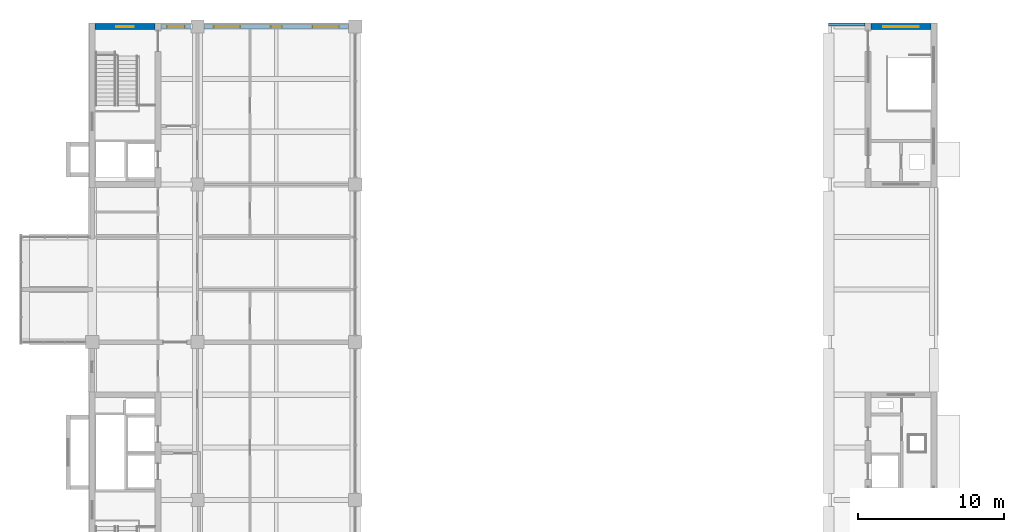
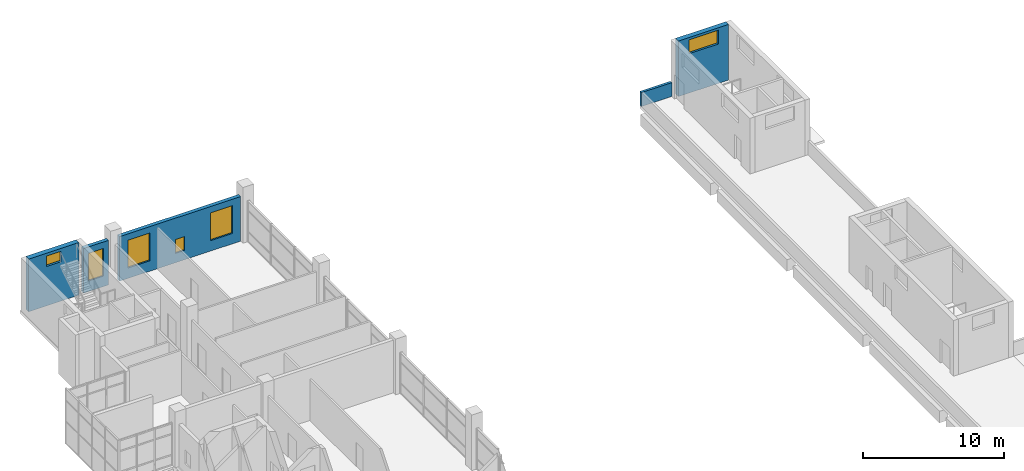
# One storey, part 20 of 23: 6 windows, 5 walls, 6 openings.
"""IFC4 building model written with IfcOpenShell, lengths in metres."""

import ifcopenshell
import ifcopenshell.guid

model = None  # the IFC model being written
_history = None  # IfcOwnerHistory: only IFC2X3 demands one
_inside = {}  # id of a spatial element -> (the spatial element, [elements in it])
_under = {}  # id of a project, library or spatial element -> (it, [spatial elements below it])
_declared = {}  # id of a project -> (the project, [libraries it declares])
_typed = {}  # id of a type object -> (the type object, [elements of that type])
_made_of = {}  # id of a material, layer set ... -> (it, [elements and type objects made of it])


def new_model(schema):
    """Start an empty IFC model of exactly this schema.

    Asked for "IFC4X3", IfcOpenShell would pick the latest addendum, in which some entities
    have other attributes; the version numbers below select the first issue.
    IFC2X3 requires an IfcOwnerHistory on every rooted entity: one is made here for all.
    """
    global model, _history
    if schema == "IFC4X3":
        model = ifcopenshell.file(schema_version=(4, 3, 0, 0))
    else:
        model = ifcopenshell.file(schema=schema)
    _inside.clear()
    _under.clear()
    _declared.clear()
    _typed.clear()
    _made_of.clear()
    _history = None
    if model.schema == "IFC2X3":
        org = make("IfcOrganization", Name="unknown")
        user = make(
            "IfcPersonAndOrganization",
            ThePerson=make("IfcPerson", FamilyName="unknown"),
            TheOrganization=org,
        )
        app = make(
            "IfcApplication",
            ApplicationDeveloper=org,
            Version="unknown",
            ApplicationFullName="unknown",
            ApplicationIdentifier="unknown",
        )
        _history = make(
            "IfcOwnerHistory",
            OwningUser=user,
            OwningApplication=app,
            ChangeAction="ADDED",
            CreationDate=0,
        )
    return model


def make(cls, **values):
    """One entity of the class cls with the attributes given. An attribute that is None is left unset."""
    return model.create_entity(
        cls, **{name: value for name, value in values.items() if value is not None}
    )


def rooted(cls, **values):
    """An entity with a GlobalId (a new one), such as an element, a storey or a relation."""
    return make(cls, GlobalId=ifcopenshell.guid.new(), OwnerHistory=_history, **values)


def si_unit(unit_type, name, prefix=None):
    """IfcSIUnit, for example si_unit("LENGTHUNIT", "METRE", prefix="MILLI")."""
    return make("IfcSIUnit", UnitType=unit_type, Prefix=prefix, Name=name)


def assignment(units):
    """IfcUnitAssignment: the units of a project."""
    return None if units is None else make("IfcUnitAssignment", Units=units)


def point(xyz):
    """IfcCartesianPoint."""
    return None if xyz is None else make("IfcCartesianPoint", Coordinates=xyz)


def direction(xyz):
    """IfcDirection."""
    return None if xyz is None else make("IfcDirection", DirectionRatios=xyz)


def frame(location, z_axis=None, x_axis=None):
    """IfcAxis2Placement3D, a coordinate frame: its origin and axes. An axis left out is left unset."""
    return make(
        "IfcAxis2Placement3D",
        Location=point(location),
        Axis=direction(z_axis),
        RefDirection=direction(x_axis),
    )


def frame_2d(location, x_axis=None):
    """IfcAxis2Placement2D, a coordinate frame in the plane: its origin and x axis."""
    return make(
        "IfcAxis2Placement2D", Location=point(location), RefDirection=direction(x_axis)
    )


def origin():
    """The frame at (0, 0, 0) with its axes left unset."""
    return frame((0.0, 0.0, 0.0))


def place(relative_to, where):
    """IfcLocalPlacement: puts the frame where relative to a parent placement (None: the world)."""
    return make(
        "IfcLocalPlacement", PlacementRelTo=relative_to, RelativePlacement=where
    )


def context(
    kind, dimensions, precision=None, world=None, true_north=None, identifier=None
):
    """IfcGeometricRepresentationContext, for example the 3D "Model" context."""
    return make(
        "IfcGeometricRepresentationContext",
        ContextIdentifier=identifier,
        ContextType=kind,
        CoordinateSpaceDimension=dimensions,
        Precision=precision,
        WorldCoordinateSystem=world,
        TrueNorth=true_north,
    )


def subcontext(parent, identifier, kind, view, scale=None):
    """IfcGeometricRepresentationSubContext, for example "Body" below "Model"."""
    return make(
        "IfcGeometricRepresentationSubContext",
        ContextIdentifier=identifier,
        ContextType=kind,
        ParentContext=parent,
        TargetScale=scale,
        TargetView=view,
    )


def project(units=None, contexts=None):
    """IfcProject with its units and contexts."""
    return rooted(
        "IfcProject",
        Name="project",
        RepresentationContexts=contexts,
        UnitsInContext=assignment(units),
    )


def spatial(cls, under=None, at=None, **own):
    """A site, building, storey or space (cls), placed at a placement, below another one or the project."""
    s = rooted(cls, ObjectPlacement=at, **own)
    if under is not None:
        _under.setdefault(under.id(), (under, []))[1].append(s)
    return s


def profile(cls, at=None, kind="AREA", **sizes):
    """A parametric profile (cls). Its sizes go by their IFC names, for example OverallWidth=200.0."""
    return make(cls, ProfileType=kind, Position=at, **sizes)


def rectangle(**sizes):
    """IfcRectangleProfileDef."""
    return profile("IfcRectangleProfileDef", **sizes)


def extrude(swept, where, along, depth):
    """IfcExtrudedAreaSolid: the profile swept, set in the frame where, extruded along a direction by depth."""
    return make(
        "IfcExtrudedAreaSolid",
        SweptArea=swept,
        Position=where,
        ExtrudedDirection=direction(along),
        Depth=depth,
    )


def shape(context_of_items, identifier, shape_type, items):
    """IfcShapeRepresentation: the items that make up one representation, for example the "Body"."""
    return make(
        "IfcShapeRepresentation",
        ContextOfItems=context_of_items,
        RepresentationIdentifier=identifier,
        RepresentationType=shape_type,
        Items=items,
    )


def material(Name=None, Category=None):
    """IfcMaterial."""
    return make("IfcMaterial", Name=Name, Category=Category)


def layer(
    of_material, thickness, ventilated=None, Name=None, Category=None, Priority=None
):
    """IfcMaterialLayer: one layer of a wall or slab, of a material (None: an air gap)."""
    return make(
        "IfcMaterialLayer",
        Material=of_material,
        LayerThickness=thickness,
        IsVentilated=ventilated,
        Name=Name,
        Category=Category,
        Priority=Priority,
    )


def layer_set(layers, Name=None):
    """IfcMaterialLayerSet."""
    return make("IfcMaterialLayerSet", MaterialLayers=layers, LayerSetName=Name)


def made_of(thing, what):
    """Note that an element or type object is made of a material, layer set ...; save() writes the relation."""
    if what is not None:
        _made_of.setdefault(what.id(), (what, []))[1].append(thing)
    return thing


def type_object(cls, material=None, **own):
    """A type object (cls), such as IfcWallType, which elements share."""
    return made_of(rooted(cls, **own), material)


def element(
    cls,
    number,
    at=None,
    inside=None,
    cuts=None,
    type_object=None,
    material=None,
    context=None,
    identifier="Body",
    shape_type=None,
    held_by="IfcProductDefinitionShape",
    body=None,
    shapes=None,
    **own,
):
    """One element of the class cls, such as IfcWall. Its Tag is "e" and its number.

    at: its placement. inside: the storey or other place that contains it. cuts: it is an
    opening in that element (IfcRelVoidsElement). A single representation is given by context,
    identifier, shape_type and body (its items); several are given by shapes. held_by: the class
    of the entity that holds the representations. save() writes the other relations.
    """
    e = rooted(cls, Tag="e%d" % number, ObjectPlacement=at, **own)
    if body is not None:
        shapes = [shape(context, identifier, shape_type, body)]
    if shapes is not None:
        e.Representation = make(held_by, Representations=shapes)
    if inside is not None:
        _inside.setdefault(inside.id(), (inside, []))[1].append(e)
    if cuts is not None:
        rooted(
            "IfcRelVoidsElement", RelatingBuildingElement=cuts, RelatedOpeningElement=e
        )
    if type_object is not None:
        _typed.setdefault(type_object.id(), (type_object, []))[1].append(e)
    return made_of(e, material)


def fill(opening, filler):
    """IfcRelFillsElement: the door or window that sits in an opening."""
    return rooted(
        "IfcRelFillsElement",
        RelatingOpeningElement=opening,
        RelatedBuildingElement=filler,
    )


def aggregate(whole, parts):
    """IfcRelAggregates: a whole, such as a stair, and the parts it consists of."""
    return rooted("IfcRelAggregates", RelatingObject=whole, RelatedObjects=parts)


def save(model, path):
    """Write the relations noted so far, then the file.

    IfcRelAggregates (storeys below a building ...), IfcRelContainedInSpatialStructure (elements
    in a storey), IfcRelDefinesByType, IfcRelAssociatesMaterial and IfcRelDeclares: one each for
    every whole, place, type object, material and project.
    """
    for whole, parts in _under.values():
        aggregate(whole, parts)
    for where, things in _inside.values():
        rooted(
            "IfcRelContainedInSpatialStructure",
            RelatedElements=things,
            RelatingStructure=where,
        )
    for kind, things in _typed.values():
        rooted("IfcRelDefinesByType", RelatedObjects=things, RelatingType=kind)
    for what, things in _made_of.values():
        rooted("IfcRelAssociatesMaterial", RelatedObjects=things, RelatingMaterial=what)
    for by, libraries in _declared.values():
        rooted("IfcRelDeclares", RelatingContext=by, RelatedDefinitions=libraries)
    model.write(path)


model = new_model("IFC4")

# Units and contexts
model_context = context("Model", 3, precision=1e-05, world=origin(), true_north=direction((0.0, 1.0)))
body_context = subcontext(model_context, "Body", "Model", "MODEL_VIEW")
ifc_project = project(units=[si_unit("LENGTHUNIT", "METRE"), si_unit("AREAUNIT", "SQUARE_METRE"), si_unit("VOLUMEUNIT", "CUBIC_METRE"), si_unit("PLANEANGLEUNIT", "RADIAN"), si_unit("MASSUNIT", "GRAM", prefix="KILO")], contexts=[model_context])

# Site, building, storey
site_placement = place(None, origin())
site = spatial("IfcSite", under=ifc_project, at=site_placement, CompositionType="ELEMENT")
building_placement = place(site_placement, origin())
building = spatial("IfcBuilding", under=site, at=building_placement, Name="Basin Gate Institute", CompositionType="ELEMENT")
storey_placement = place(building_placement, frame((0.0, 0.0, 46.199951171875)))
storey = spatial("IfcBuildingStorey", under=building, at=storey_placement, Name="L09", CompositionType="ELEMENT", Elevation=46.199951171875)

# Wall, opening, window
ifc_material_1 = material(Name="Aluminium-faced insulated panel wall", Category="aluminium")
ifc_layer_1 = layer(ifc_material_1, 0.300048828125)
ifc_layer_set_1 = layer_set([ifc_layer_1], Name="External wall EW1 EI 120")
wall_type_1 = type_object("IfcWallType", Name="External wall EW1 EI 120", PredefinedType="STANDARD", material=ifc_layer_set_1)
wall_1_placement = place(storey_placement, frame((65.89990234375, 99.89990234375, 0.0), z_axis=(0.0, 0.0, 1.0), x_axis=(1.0, 0.0, 0.0)))
wall_1 = element("IfcWall", 1, at=wall_1_placement, inside=storey, type_object=wall_type_1, material=ifc_layer_set_1, Name="External end wall W wing north L09 1", PredefinedType="STANDARD", context=body_context, shape_type="SweptSolid", body=[
    extrude(rectangle(XDim=2.050048828125, YDim=0.300048828125, at=frame_2d((1.02490234375, 0.0))), origin(), (0.0, 0.0, 1.0), 3.85009765625),
])
opening_1_placement = place(wall_1_placement, frame((0.425048828125, 0.0, 0.89990234375)))
opening_1 = element("IfcOpeningElement", 2, at=opening_1_placement, cuts=wall_1, Name="Opening WN4", PredefinedType="OPENING", context=body_context, shape_type="SweptSolid", body=[
    extrude(rectangle(XDim=1.199951171875, YDim=2.39990234375, at=frame_2d((0.60009765625, 1.199951171875))), frame((0.0, 0.16015625, 0.0), z_axis=(0.0, -1.0, 0.0), x_axis=(1.0, 0.0, 0.0)), (0.0, 0.0, 1.0), 0.320068359375),
])
ifc_material_2 = material(Name="Aluminium-framed double glazing", Category="aluminium")
window_type_1 = type_object("IfcWindowType", Name="Corridor end window WN4", PartitioningType="SINGLE_PANEL", PredefinedType="WINDOW", material=ifc_material_2)
window_1_placement = place(opening_1_placement, origin())
window_1 = element("IfcWindow", 3, at=window_1_placement, inside=storey, type_object=window_type_1, material=ifc_material_2, Name="Corridor end window W wing N L09", OverallHeight=2.39990234375, OverallWidth=1.199951171875, PartitioningType="SINGLE_PANEL", PredefinedType="WINDOW", context=body_context, shape_type="SweptSolid", body=[
    extrude(rectangle(XDim=1.199951171875, YDim=2.39990234375, at=frame_2d((0.60009765625, 1.199951171875))), frame((0.0, 0.030029296875, 0.0), z_axis=(0.0, -1.0, 0.0), x_axis=(1.0, 0.0, 0.0)), (0.0, 0.0, 1.0), 0.06005859375),
])
fill(opening_1, window_1)

# Wall, openings, windows
wall_2_placement = place(storey_placement, frame((68.85009765625, 99.89990234375, 0.0), z_axis=(0.0, 0.0, 1.0), x_axis=(1.0, 0.0, 0.0)))
wall_2 = element("IfcWall", 4, at=wall_2_placement, inside=storey, type_object=wall_type_1, material=ifc_layer_set_1, Name="External end wall W wing north L09 2", PredefinedType="STANDARD", context=body_context, shape_type="SweptSolid", body=[
    extrude(rectangle(XDim=9.89990234375, YDim=0.300048828125, at=frame_2d((4.949951171875, 0.0))), origin(), (0.0, 0.0, 1.0), 3.85009765625),
])
opening_2_placement = place(wall_2_placement, frame((0.675048828125, 0.0, 0.89990234375)))
opening_2 = element("IfcOpeningElement", 5, at=opening_2_placement, cuts=wall_2, Name="Opening WN1", PredefinedType="OPENING", context=body_context, shape_type="SweptSolid", body=[
    extrude(rectangle(XDim=1.800048828125, YDim=2.39990234375, at=frame_2d((0.89990234375, 1.199951171875))), frame((0.0, 0.16015625, 0.0), z_axis=(0.0, -1.0, 0.0), x_axis=(1.0, 0.0, 0.0)), (0.0, 0.0, 1.0), 0.320068359375),
])
opening_3_placement = place(wall_2_placement, frame((4.574951171875, 0.0, 0.800048828125)))
opening_3 = element("IfcOpeningElement", 6, at=opening_3_placement, cuts=wall_2, Name="Opening WN3", PredefinedType="OPENING", context=body_context, shape_type="SweptSolid", body=[
    extrude(rectangle(XDim=0.75, YDim=1.199951171875, at=frame_2d((0.375, 0.60009765625))), frame((0.0, 0.16015625, 0.0), z_axis=(0.0, -1.0, 0.0), x_axis=(1.0, 0.0, 0.0)), (0.0, 0.0, 1.0), 0.320068359375),
])
opening_4_placement = place(wall_2_placement, frame((7.425048828125, 0.0, 0.89990234375)))
opening_4 = element("IfcOpeningElement", 7, at=opening_4_placement, cuts=wall_2, Name="Opening WN1", PredefinedType="OPENING", context=body_context, shape_type="SweptSolid", body=[
    extrude(rectangle(XDim=1.800048828125, YDim=2.39990234375, at=frame_2d((0.89990234375, 1.199951171875))), frame((0.0, 0.16015625, 0.0), z_axis=(0.0, -1.0, 0.0), x_axis=(1.0, 0.0, 0.0)), (0.0, 0.0, 1.0), 0.320068359375),
])
ifc_material_3 = material(Name="Aluminium-framed double glazing", Category="aluminium")
window_type_2 = type_object("IfcWindowType", Name="Emergency entry panel WN3", PartitioningType="SINGLE_PANEL", PredefinedType="WINDOW", material=ifc_material_3)
window_2_placement = place(opening_3_placement, origin())
window_2 = element("IfcWindow", 8, at=window_2_placement, inside=storey, type_object=window_type_2, material=ifc_material_3, Name="Emergency entry panel W wing end N L09 bay 2", OverallHeight=1.199951171875, OverallWidth=0.75, PartitioningType="SINGLE_PANEL", PredefinedType="WINDOW", context=body_context, shape_type="SweptSolid", body=[
    extrude(rectangle(XDim=0.75, YDim=1.199951171875, at=frame_2d((0.375, 0.60009765625))), frame((0.0, 0.030029296875, 0.0), z_axis=(0.0, -1.0, 0.0), x_axis=(1.0, 0.0, 0.0)), (0.0, 0.0, 1.0), 0.06005859375),
])
fill(opening_3, window_2)
ifc_material_4 = material(Name="Aluminium-framed double glazing", Category="aluminium")
window_type_3 = type_object("IfcWindowType", Name="Facade window WN1", PartitioningType="SINGLE_PANEL", PredefinedType="WINDOW", material=ifc_material_4)
window_3_placement = place(opening_2_placement, origin())
window_3 = element("IfcWindow", 9, at=window_3_placement, inside=storey, type_object=window_type_3, material=ifc_material_4, Name="Facade window W wing end N L09 bay 1", OverallHeight=2.39990234375, OverallWidth=1.800048828125, PartitioningType="SINGLE_PANEL", PredefinedType="WINDOW", context=body_context, shape_type="SweptSolid", body=[
    extrude(rectangle(XDim=1.800048828125, YDim=2.39990234375, at=frame_2d((0.89990234375, 1.199951171875))), frame((0.0, 0.030029296875, 0.0), z_axis=(0.0, -1.0, 0.0), x_axis=(1.0, 0.0, 0.0)), (0.0, 0.0, 1.0), 0.06005859375),
])
fill(opening_2, window_3)
window_4_placement = place(opening_4_placement, origin())
window_4 = element("IfcWindow", 10, at=window_4_placement, inside=storey, type_object=window_type_3, material=ifc_material_4, Name="Facade window W wing end N L09 bay 3", OverallHeight=2.39990234375, OverallWidth=1.800048828125, PartitioningType="SINGLE_PANEL", PredefinedType="WINDOW", context=body_context, shape_type="SweptSolid", body=[
    extrude(rectangle(XDim=1.800048828125, YDim=2.39990234375, at=frame_2d((0.89990234375, 1.199951171875))), frame((0.0, 0.030029296875, 0.0), z_axis=(0.0, -1.0, 0.0), x_axis=(1.0, 0.0, 0.0)), (0.0, 0.0, 1.0), 0.06005859375),
])
fill(opening_4, window_4)

# Wall
ifc_material_5 = material(Name="Concrete 40 MPa", Category="concrete")
ifc_layer_2 = layer(ifc_material_5, 0.199951171875)
ifc_layer_set_2 = layer_set([ifc_layer_2], Name="Concrete 40 MPa")
wall_type_2 = type_object("IfcWallType", Name="Parapet wall PA1", PredefinedType="PARAPET", material=ifc_layer_set_2)
wall_3_placement = place(storey_placement, frame((111.60009765625, 100.050048828125, 0.0), z_axis=(0.0, 0.0, 1.0), x_axis=(1.0, 0.0, 0.0)))
element("IfcWall", 11, at=wall_3_placement, inside=storey, type_object=wall_type_2, material=ifc_layer_set_2, Name="Parapet wall PA1 L09 E3", PredefinedType="PARAPET", context=body_context, shape_type="SweptSolid", body=[
    extrude(rectangle(XDim=2.5, YDim=0.199951171875, at=frame_2d((1.25, 0.0))), origin(), (0.0, 0.0, 1.0), 1.199951171875),
])

# Wall, opening, window
ifc_material_6 = material(Name="Concrete 50 MPa", Category="concrete")
ifc_layer_3 = layer(ifc_material_6, 0.39990234375)
ifc_layer_set_3 = layer_set([ifc_layer_3], Name="Concrete 50 MPa")
wall_type_3 = type_object("IfcWallType", Name="Wall SW2 R120", PredefinedType="SHEAR", material=ifc_layer_set_3)
wall_4_placement = place(storey_placement, frame((61.39990234375, 99.89990234375, 0.0), z_axis=(0.0, 0.0, 1.0), x_axis=(1.0, 0.0, 0.0)))
wall_4 = element("IfcWall", 12, at=wall_4_placement, inside=storey, type_object=wall_type_3, material=ifc_layer_set_3, Name="WALL/L09/WN/N", PredefinedType="SHEAR", context=body_context, shape_type="SweptSolid", body=[
    extrude(rectangle(XDim=4.10009765625, YDim=0.39990234375, at=frame_2d((2.050048828125, 0.0))), origin(), (0.0, 0.0, 1.0), 4.550048828125),
])
opening_5_placement = place(wall_4_placement, frame((1.449951171875, 0.0, 3.39990234375)))
opening_5 = element("IfcOpeningElement", 13, at=opening_5_placement, cuts=wall_4, Name="Opening WT2", PredefinedType="OPENING", context=body_context, shape_type="SweptSolid", body=[
    extrude(rectangle(XDim=1.199951171875, YDim=0.89990234375, at=frame_2d((0.60009765625, 0.449951171875))), frame((0.0, 0.2099609375, 0.0), z_axis=(0.0, -1.0, 0.0), x_axis=(1.0, 0.0, 0.0)), (0.0, 0.0, 1.0), 0.419921875),
])
ifc_material_7 = material(Name="Fire-resistant glazing in steel-free frame", Category="steel")
window_type_4 = type_object("IfcWindowType", Name="Rated stair window EI 120 WT2", PartitioningType="SINGLE_PANEL", PredefinedType="WINDOW", material=ifc_material_7)
window_5_placement = place(opening_5_placement, origin())
window_5 = element("IfcWindow", 14, at=window_5_placement, inside=storey, type_object=window_type_4, material=ifc_material_7, Name="Rated stair window EI 120 WN end L09", OverallHeight=0.89990234375, OverallWidth=1.199951171875, PartitioningType="SINGLE_PANEL", PredefinedType="WINDOW", context=body_context, shape_type="SweptSolid", body=[
    extrude(rectangle(XDim=1.199951171875, YDim=0.89990234375, at=frame_2d((0.60009765625, 0.449951171875))), frame((0.0, 0.030029296875, 0.0), z_axis=(0.0, -1.0, 0.0), x_axis=(1.0, 0.0, 0.0)), (0.0, 0.0, 1.0), 0.06005859375),
])
fill(opening_5, window_5)

wall_5_placement = place(storey_placement, frame((118.60009765625, 99.89990234375, 0.0), z_axis=(0.0, 0.0, 1.0), x_axis=(-1.0, 0.0, 0.0)))
wall_5 = element("IfcWall", 15, at=wall_5_placement, inside=storey, type_object=wall_type_3, material=ifc_layer_set_3, Name="WALL/L09/EN/N", PredefinedType="SHEAR", context=body_context, shape_type="SweptSolid", body=[
    extrude(rectangle(XDim=4.10009765625, YDim=0.39990234375, at=frame_2d((2.050048828125, 0.0))), origin(), (0.0, 0.0, 1.0), 4.800048828125),
])
opening_6_placement = place(wall_5_placement, frame((0.85009765625, 0.0, 3.39990234375)))
opening_6 = element("IfcOpeningElement", 16, at=opening_6_placement, cuts=wall_5, Name="Opening LV1A", PredefinedType="OPENING", context=body_context, shape_type="SweptSolid", body=[
    extrude(rectangle(XDim=2.39990234375, YDim=1.199951171875, at=frame_2d((1.199951171875, 0.60009765625))), frame((0.0, 0.2099609375, 0.0), z_axis=(0.0, -1.0, 0.0), x_axis=(1.0, 0.0, 0.0)), (0.0, 0.0, 1.0), 0.419921875),
])
ifc_material_8 = material(Name="Aluminium louvre", Category="aluminium")
window_type_5 = type_object("IfcWindowType", Name="Exhaust louvre LV1A", PartitioningType="SINGLE_PANEL", PredefinedType="USERDEFINED", material=ifc_material_8)
window_6_placement = place(opening_6_placement, origin())
window_6 = element("IfcWindow", 17, at=window_6_placement, inside=storey, type_object=window_type_5, material=ifc_material_8, Name="Exhaust louvre LV1A EN stack N1", ObjectType="LOUVRE", OverallHeight=1.199951171875, OverallWidth=2.39990234375, PartitioningType="SINGLE_PANEL", PredefinedType="USERDEFINED", context=body_context, shape_type="SweptSolid", body=[
    extrude(rectangle(XDim=2.39990234375, YDim=1.199951171875, at=frame_2d((1.199951171875, 0.60009765625))), frame((0.0, 0.030029296875, 0.0), z_axis=(0.0, -1.0, 0.0), x_axis=(1.0, 0.0, 0.0)), (0.0, 0.0, 1.0), 0.06005859375),
])
fill(opening_6, window_6)

save(model, "model.ifc")
